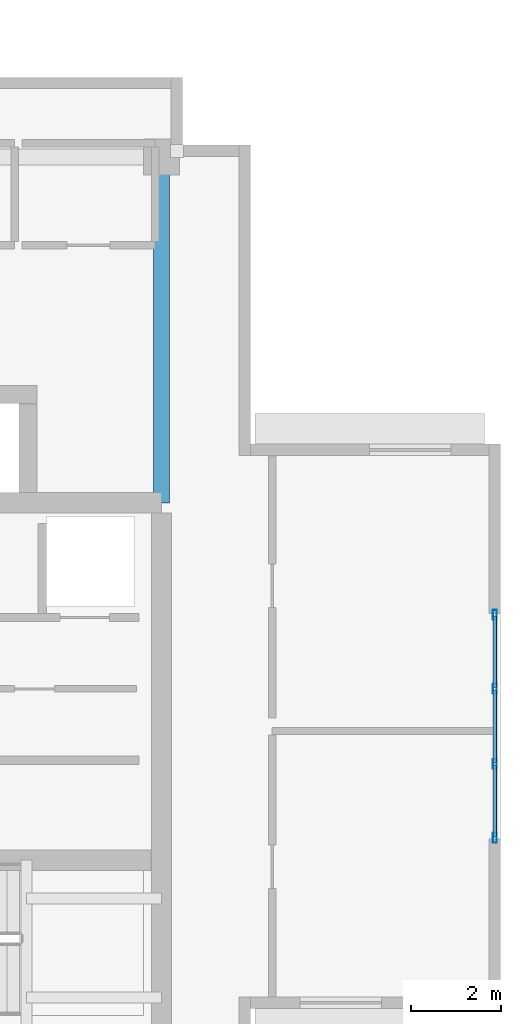
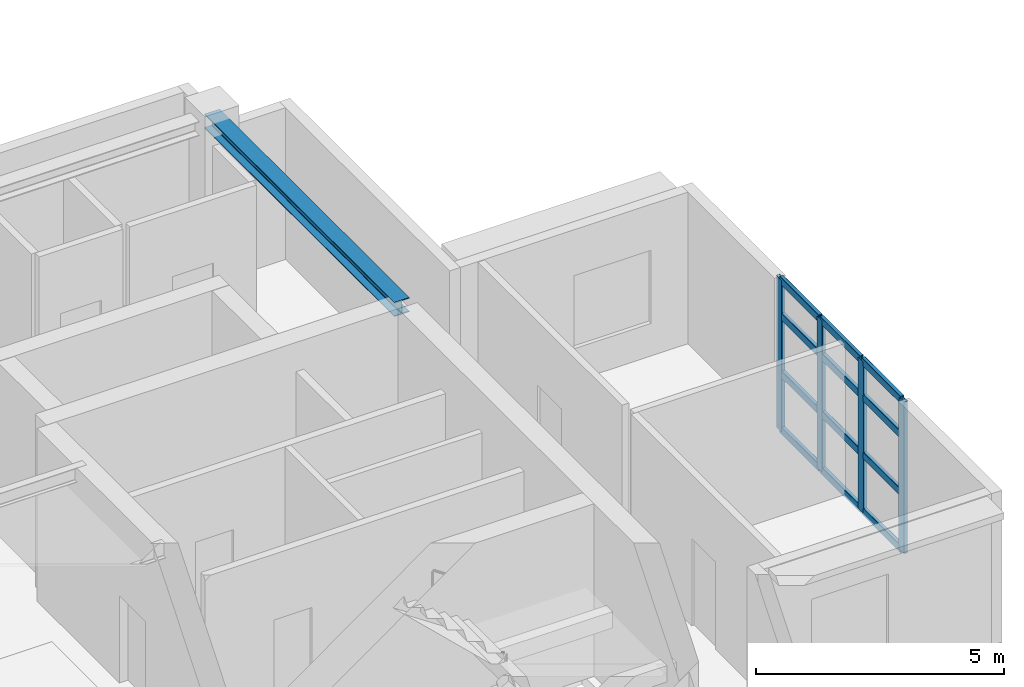
# One storey, part 6 of 16: 16 members, 1 beam, 1 element without a shape of its own.
"""IFC4 building model written with IfcOpenShell, lengths in metres."""

from ifc_helpers import new_model, si_unit, direction, frame, origin, origin_2d, place, context, subcontext, project, spatial, hollow_rectangle, i_section, extrude, material, layer, layer_set, material_profile, profile_set, type_object, element, aggregate, save


model = new_model("IFC4")

# Units and contexts
model_context = context("Model", 3, precision=1e-05, world=origin(), true_north=direction((0.0, 1.0)))
body_context = subcontext(model_context, "Body", "Model", "MODEL_VIEW")
ifc_project = project(units=[si_unit("LENGTHUNIT", "METRE"), si_unit("AREAUNIT", "SQUARE_METRE"), si_unit("VOLUMEUNIT", "CUBIC_METRE"), si_unit("PLANEANGLEUNIT", "RADIAN"), si_unit("MASSUNIT", "GRAM", prefix="KILO")], contexts=[model_context])

# Site, building, storey
site_placement = place(None, origin())
site = spatial("IfcSite", under=ifc_project, at=site_placement, CompositionType="ELEMENT")
building_placement = place(site_placement, origin())
building = spatial("IfcBuilding", under=site, at=building_placement, Name="Qingluan Cross Belvedere", CompositionType="ELEMENT")
storey_placement = place(building_placement, frame((0.0, 0.0, 308.39990234375)))
storey = spatial("IfcBuildingStorey", under=building, at=storey_placement, Name="L76", CompositionType="ELEMENT", Elevation=308.39990234375)

# Curtain wall, members
ifc_material_1 = material(Name="Thermally broken aluminium and Low-E glass", Category="aluminium")
ifc_layer = layer(ifc_material_1, 0.199951171875, Name="ObservationCW_SkyRestaurant")
ifc_layer_set = layer_set([ifc_layer], Name="Thermally broken aluminium and Low-E glass")
curtain_wall_type = type_object("IfcCurtainWallType", Name="ObservationCW_SkyRestaurant", PredefinedType="USERDEFINED", material=ifc_layer_set)
curtain_wall_placement = place(storey_placement, origin())
curtain_wall = element("IfcCurtainWall", 1, at=curtain_wall_placement, inside=storey, type_object=curtain_wall_type, Name="ObservationCW_SkyRestaurant run env:cw:L76:E", ObjectType="OBSERVATION GLAZING WALL", PredefinedType="USERDEFINED")
ifc_material_2 = material(Name="Aluminium alloy 6063-T6", Category="aluminium")
ifc_material_profile_1 = material_profile(ifc_material_2, hollow_rectangle(XDim=0.0849609375, YDim=0.219970703125, WallThickness=0.0048828125, InnerFilletRadius=0.0048828125, OuterFilletRadius=0.010009765625, at=origin_2d()), Name="CWM220x85x5")
ifc_profile_set_1 = profile_set([ifc_material_profile_1], Name="Aluminium alloy 6063-T6")
member_type_1 = type_object("IfcMemberType", Name="CWMullion_220", PredefinedType="MULLION", material=ifc_profile_set_1)
member_1_placement = place(storey_placement, frame((19.780029296875, -2.468017578125, 0.0), z_axis=(0.0, 0.0, 1.0), x_axis=(-1.0, 0.0, 0.0)))
member_1 = element("IfcMember", 2, at=member_1_placement, type_object=member_type_1, Name="CW-C2 mullion 1", PredefinedType="MULLION", context=body_context, shape_type="SweptSolid", body=[
    extrude(hollow_rectangle(XDim=0.0849609375, YDim=0.219970703125, WallThickness=0.0048828125, InnerFilletRadius=0.0048828125, OuterFilletRadius=0.010009765625, at=origin_2d()), origin(), (0.0, 0.0, 1.0), 3.72998046875),
])
member_2_placement = place(storey_placement, frame((19.780029296875, -0.832763671875, 0.0), z_axis=(0.0, 0.0, 1.0), x_axis=(-1.0, 0.0, 0.0)))
member_2 = element("IfcMember", 3, at=member_2_placement, type_object=member_type_1, Name="CW-C2 mullion 2", PredefinedType="MULLION", context=body_context, shape_type="SweptSolid", body=[
    extrude(hollow_rectangle(XDim=0.0849609375, YDim=0.219970703125, WallThickness=0.0048828125, InnerFilletRadius=0.0048828125, OuterFilletRadius=0.010009765625, at=origin_2d()), origin(), (0.0, 0.0, 1.0), 3.72998046875),
])
member_3_placement = place(storey_placement, frame((19.780029296875, 0.832763671875, 0.0), z_axis=(0.0, 0.0, 1.0), x_axis=(-1.0, 0.0, 0.0)))
member_3 = element("IfcMember", 4, at=member_3_placement, type_object=member_type_1, Name="CW-C2 mullion 3", PredefinedType="MULLION", context=body_context, shape_type="SweptSolid", body=[
    extrude(hollow_rectangle(XDim=0.0849609375, YDim=0.219970703125, WallThickness=0.0048828125, InnerFilletRadius=0.0048828125, OuterFilletRadius=0.010009765625, at=origin_2d()), origin(), (0.0, 0.0, 1.0), 3.72998046875),
])
member_4_placement = place(storey_placement, frame((19.780029296875, 2.468017578125, 0.0), z_axis=(0.0, 0.0, 1.0), x_axis=(-1.0, 0.0, 0.0)))
member_4 = element("IfcMember", 5, at=member_4_placement, type_object=member_type_1, Name="CW-C2 mullion 4", PredefinedType="MULLION", context=body_context, shape_type="SweptSolid", body=[
    extrude(hollow_rectangle(XDim=0.0849609375, YDim=0.219970703125, WallThickness=0.0048828125, InnerFilletRadius=0.0048828125, OuterFilletRadius=0.010009765625, at=origin_2d()), origin(), (0.0, 0.0, 1.0), 3.72998046875),
])
ifc_material_3 = material(Name="Aluminium alloy 6063-T6", Category="aluminium")
ifc_material_profile_2 = material_profile(ifc_material_3, hollow_rectangle(XDim=0.0849609375, YDim=0.179931640625, WallThickness=0.00390625, InnerFilletRadius=0.00390625, OuterFilletRadius=0.008056640625, at=origin_2d()), Name="CWT180x85x4")
ifc_profile_set_2 = profile_set([ifc_material_profile_2], Name="Aluminium alloy 6063-T6")
member_type_2 = type_object("IfcMemberType", Name="CWTransom_180", PredefinedType="USERDEFINED", material=ifc_profile_set_2)
member_5_placement = place(storey_placement, frame((19.780029296875, -2.43798828125, 0.030029296875), z_axis=(0.0, 1.0, 0.0), x_axis=(-1.0, 0.0, 0.0)))
member_5 = element("IfcMember", 6, at=member_5_placement, type_object=member_type_2, Name="CW-C2 transom 1.1", ObjectType="TRANSOM", PredefinedType="USERDEFINED", context=body_context, shape_type="SweptSolid", body=[
    extrude(hollow_rectangle(XDim=0.0849609375, YDim=0.179931640625, WallThickness=0.00390625, InnerFilletRadius=0.00390625, OuterFilletRadius=0.008056640625, at=origin_2d()), origin(), (0.0, 0.0, 1.0), 1.575439453125),
])
member_6_placement = place(storey_placement, frame((19.780029296875, -2.43798828125, 1.4169921875), z_axis=(0.0, 1.0, 0.0), x_axis=(-1.0, 0.0, 0.0)))
member_6 = element("IfcMember", 7, at=member_6_placement, type_object=member_type_2, Name="CW-C2 transom 1.2", ObjectType="TRANSOM", PredefinedType="USERDEFINED", context=body_context, shape_type="SweptSolid", body=[
    extrude(hollow_rectangle(XDim=0.0849609375, YDim=0.179931640625, WallThickness=0.00390625, InnerFilletRadius=0.00390625, OuterFilletRadius=0.008056640625, at=origin_2d()), origin(), (0.0, 0.0, 1.0), 1.575439453125),
])
member_7_placement = place(storey_placement, frame((19.780029296875, -2.43798828125, 2.835205078125), z_axis=(0.0, 1.0, 0.0), x_axis=(-1.0, 0.0, 0.0)))
member_7 = element("IfcMember", 8, at=member_7_placement, type_object=member_type_2, Name="CW-C2 transom 1.3", ObjectType="TRANSOM", PredefinedType="USERDEFINED", context=body_context, shape_type="SweptSolid", body=[
    extrude(hollow_rectangle(XDim=0.0849609375, YDim=0.179931640625, WallThickness=0.00390625, InnerFilletRadius=0.00390625, OuterFilletRadius=0.008056640625, at=origin_2d()), origin(), (0.0, 0.0, 1.0), 1.575439453125),
])
member_8_placement = place(storey_placement, frame((19.780029296875, -2.43798828125, 3.7001953125), z_axis=(0.0, 1.0, 0.0), x_axis=(-1.0, 0.0, 0.0)))
member_8 = element("IfcMember", 9, at=member_8_placement, type_object=member_type_2, Name="CW-C2 transom 1.4", ObjectType="TRANSOM", PredefinedType="USERDEFINED", context=body_context, shape_type="SweptSolid", body=[
    extrude(hollow_rectangle(XDim=0.0849609375, YDim=0.179931640625, WallThickness=0.00390625, InnerFilletRadius=0.00390625, OuterFilletRadius=0.008056640625, at=origin_2d()), origin(), (0.0, 0.0, 1.0), 1.575439453125),
])
member_9_placement = place(storey_placement, frame((19.780029296875, -0.802734375, 0.030029296875), z_axis=(0.0, 1.0, 0.0), x_axis=(-1.0, 0.0, 0.0)))
member_9 = element("IfcMember", 10, at=member_9_placement, type_object=member_type_2, Name="CW-C2 transom 2.1", ObjectType="TRANSOM", PredefinedType="USERDEFINED", context=body_context, shape_type="SweptSolid", body=[
    extrude(hollow_rectangle(XDim=0.0849609375, YDim=0.179931640625, WallThickness=0.00390625, InnerFilletRadius=0.00390625, OuterFilletRadius=0.008056640625, at=origin_2d()), origin(), (0.0, 0.0, 1.0), 1.60546875),
])
member_10_placement = place(storey_placement, frame((19.780029296875, -0.802734375, 1.4169921875), z_axis=(0.0, 1.0, 0.0), x_axis=(-1.0, 0.0, 0.0)))
member_10 = element("IfcMember", 11, at=member_10_placement, type_object=member_type_2, Name="CW-C2 transom 2.2", ObjectType="TRANSOM", PredefinedType="USERDEFINED", context=body_context, shape_type="SweptSolid", body=[
    extrude(hollow_rectangle(XDim=0.0849609375, YDim=0.179931640625, WallThickness=0.00390625, InnerFilletRadius=0.00390625, OuterFilletRadius=0.008056640625, at=origin_2d()), origin(), (0.0, 0.0, 1.0), 1.60546875),
])
member_11_placement = place(storey_placement, frame((19.780029296875, -0.802734375, 2.835205078125), z_axis=(0.0, 1.0, 0.0), x_axis=(-1.0, 0.0, 0.0)))
member_11 = element("IfcMember", 12, at=member_11_placement, type_object=member_type_2, Name="CW-C2 transom 2.3", ObjectType="TRANSOM", PredefinedType="USERDEFINED", context=body_context, shape_type="SweptSolid", body=[
    extrude(hollow_rectangle(XDim=0.0849609375, YDim=0.179931640625, WallThickness=0.00390625, InnerFilletRadius=0.00390625, OuterFilletRadius=0.008056640625, at=origin_2d()), origin(), (0.0, 0.0, 1.0), 1.60546875),
])
member_12_placement = place(storey_placement, frame((19.780029296875, -0.802734375, 3.7001953125), z_axis=(0.0, 1.0, 0.0), x_axis=(-1.0, 0.0, 0.0)))
member_12 = element("IfcMember", 13, at=member_12_placement, type_object=member_type_2, Name="CW-C2 transom 2.4", ObjectType="TRANSOM", PredefinedType="USERDEFINED", context=body_context, shape_type="SweptSolid", body=[
    extrude(hollow_rectangle(XDim=0.0849609375, YDim=0.179931640625, WallThickness=0.00390625, InnerFilletRadius=0.00390625, OuterFilletRadius=0.008056640625, at=origin_2d()), origin(), (0.0, 0.0, 1.0), 1.60546875),
])
member_13_placement = place(storey_placement, frame((19.780029296875, 0.862548828125, 0.030029296875), z_axis=(0.0, 1.0, 0.0), x_axis=(-1.0, 0.0, 0.0)))
member_13 = element("IfcMember", 14, at=member_13_placement, type_object=member_type_2, Name="CW-C2 transom 3.1", ObjectType="TRANSOM", PredefinedType="USERDEFINED", context=body_context, shape_type="SweptSolid", body=[
    extrude(hollow_rectangle(XDim=0.0849609375, YDim=0.179931640625, WallThickness=0.00390625, InnerFilletRadius=0.00390625, OuterFilletRadius=0.008056640625, at=origin_2d()), origin(), (0.0, 0.0, 1.0), 1.575439453125),
])
member_14_placement = place(storey_placement, frame((19.780029296875, 0.862548828125, 1.4169921875), z_axis=(0.0, 1.0, 0.0), x_axis=(-1.0, 0.0, 0.0)))
member_14 = element("IfcMember", 15, at=member_14_placement, type_object=member_type_2, Name="CW-C2 transom 3.2", ObjectType="TRANSOM", PredefinedType="USERDEFINED", context=body_context, shape_type="SweptSolid", body=[
    extrude(hollow_rectangle(XDim=0.0849609375, YDim=0.179931640625, WallThickness=0.00390625, InnerFilletRadius=0.00390625, OuterFilletRadius=0.008056640625, at=origin_2d()), origin(), (0.0, 0.0, 1.0), 1.575439453125),
])
member_15_placement = place(storey_placement, frame((19.780029296875, 0.862548828125, 2.835205078125), z_axis=(0.0, 1.0, 0.0), x_axis=(-1.0, 0.0, 0.0)))
member_15 = element("IfcMember", 16, at=member_15_placement, type_object=member_type_2, Name="CW-C2 transom 3.3", ObjectType="TRANSOM", PredefinedType="USERDEFINED", context=body_context, shape_type="SweptSolid", body=[
    extrude(hollow_rectangle(XDim=0.0849609375, YDim=0.179931640625, WallThickness=0.00390625, InnerFilletRadius=0.00390625, OuterFilletRadius=0.008056640625, at=origin_2d()), origin(), (0.0, 0.0, 1.0), 1.575439453125),
])
member_16_placement = place(storey_placement, frame((19.780029296875, 0.862548828125, 3.7001953125), z_axis=(0.0, 1.0, 0.0), x_axis=(-1.0, 0.0, 0.0)))
member_16 = element("IfcMember", 17, at=member_16_placement, type_object=member_type_2, Name="CW-C2 transom 3.4", ObjectType="TRANSOM", PredefinedType="USERDEFINED", context=body_context, shape_type="SweptSolid", body=[
    extrude(hollow_rectangle(XDim=0.0849609375, YDim=0.179931640625, WallThickness=0.00390625, InnerFilletRadius=0.00390625, OuterFilletRadius=0.008056640625, at=origin_2d()), origin(), (0.0, 0.0, 1.0), 1.575439453125),
])
aggregate(curtain_wall, [member_1, member_2, member_3, member_4, member_5, member_6, member_7, member_8, member_9, member_10, member_11, member_12, member_13, member_14, member_15, member_16])

# Beam
ifc_material_4 = material(Name="Steel Q420GJB", Category="steel")
ifc_material_profile_3 = material_profile(ifc_material_4, i_section(OverallWidth=0.35009765625, OverallDepth=0.35009765625, WebThickness=0.011962890625, FlangeThickness=0.01904296875, FilletRadius=0.02001953125, at=origin_2d()), Name="HW350x350x12x19")
ifc_profile_set_3 = profile_set([ifc_material_profile_3], Name="Steel Q420GJB")
beam_type = type_object("IfcBeamType", Name="Steel_Girder_HW350x350x12x19", PredefinedType="USERDEFINED", material=ifc_profile_set_3)
beam_placement = place(storey_placement, frame((12.39990234375, 4.949951171875, 4.0751953125), z_axis=(0.0, 1.0, 0.0), x_axis=(-1.0, 0.0, 0.0)))
element("IfcBeam", 18, at=beam_placement, inside=storey, type_object=beam_type, Name="Hub girder L76-HG-E2", ObjectType="GIRDER", PredefinedType="USERDEFINED", context=body_context, shape_type="SweptSolid", body=[
    extrude(i_section(OverallWidth=0.35009765625, OverallDepth=0.35009765625, WebThickness=0.011962890625, FlangeThickness=0.01904296875, FilletRadius=0.02001953125, at=origin_2d()), origin(), (0.0, 0.0, 1.0), 7.650146484375),
])

save(model, "model.ifc")
